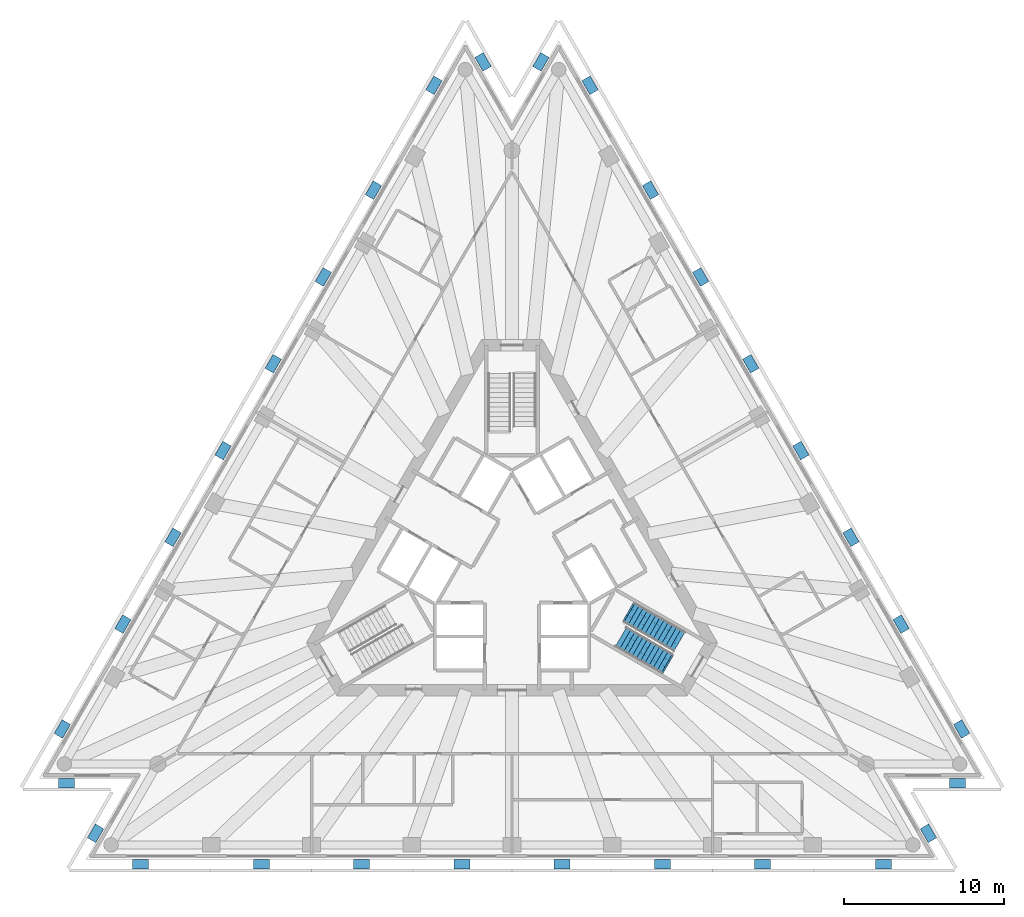
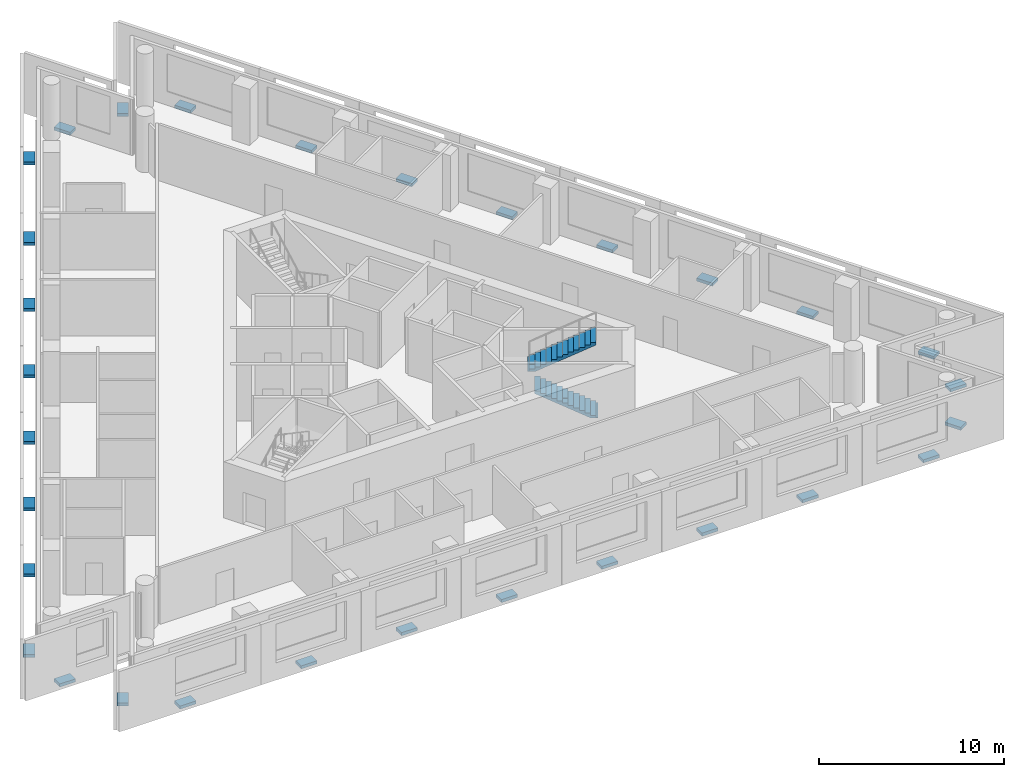
# One storey, part 8 of 10: 30 discrete accessories, 2 stair flights, 1 element without a shape of its own.
"""IFC4 building model written with IfcOpenShell, lengths in metres."""

from ifc_helpers import new_model, si_unit, direction, frame, origin, origin_2d, place, context, subcontext, project, spatial, polyline, rectangle, outline, extrude, material, type_object, element, aggregate, save


model = new_model("IFC4")

# Units and contexts
model_context = context("Model", 3, precision=1e-05, world=origin(), true_north=direction((0.0, 1.0)))
body_context = subcontext(model_context, "Body", "Model", "MODEL_VIEW")
ifc_project = project(units=[si_unit("LENGTHUNIT", "METRE"), si_unit("AREAUNIT", "SQUARE_METRE"), si_unit("VOLUMEUNIT", "CUBIC_METRE"), si_unit("PLANEANGLEUNIT", "RADIAN"), si_unit("MASSUNIT", "GRAM", prefix="KILO")], contexts=[model_context])

# Site, building, storey
site_placement = place(None, origin())
site = spatial("IfcSite", under=ifc_project, at=site_placement, CompositionType="ELEMENT")
building_placement = place(site_placement, origin())
building = spatial("IfcBuilding", under=site, at=building_placement, Name="Triada Interchange Tower", CompositionType="ELEMENT")
storey_placement = place(building_placement, frame((0.0, 0.0, 191.300048828125)))
storey = spatial("IfcBuildingStorey", under=building, at=storey_placement, Name="L44", CompositionType="ELEMENT", Elevation=191.300048828125)

# Stair, stair flights
ifc_material_1 = material(Name="Concrete C35/45", Category="concrete")
stair_type = type_object("IfcStairType", Name="HALF TURN STAIR 1400", PredefinedType="HALF_TURN_STAIR", material=ifc_material_1)
stair_placement = place(storey_placement, origin())
stair = element("IfcStair", 1, at=stair_placement, inside=storey, type_object=stair_type, Name="Exit stair S44-3", PredefinedType="HALF_TURN_STAIR")
stair_flight_type = type_object("IfcStairFlightType", Name="STRAIGHT STAIR FLIGHT 1400", PredefinedType="STRAIGHT", material=ifc_material_1)
stair_flight_1_placement = place(storey_placement, frame((9.64599609375, -6.492919921875, 0.0), z_axis=(0.0, 0.0, 1.0), x_axis=(-0.866025403784, 0.5, 0.0)))
stair_flight_1 = element("IfcStairFlight", 2, at=stair_flight_1_placement, type_object=stair_flight_type, Name="S44-3 flight 1", NumberOfRisers=12, NumberOfTreads=11, PredefinedType="STRAIGHT", RiserHeight=0.16, TreadLength=0.3, context=body_context, shape_type="SweptSolid", body=[
    extrude(outline(polyline([(-0.10009765625, 0.0), (-0.10009765625, 0.02001953125), (0.0, 0.02001953125), (0.0, 0.159912109375), (0.300048828125, 0.159912109375), (0.300048828125, 0.320068359375), (0.60009765625, 0.320068359375), (0.60009765625, 0.47998046875), (0.89990234375, 0.47998046875), (0.89990234375, 0.639892578125), (1.199951171875, 0.639892578125), (1.199951171875, 0.800048828125), (1.5, 0.800048828125), (1.5, 0.9599609375), (1.800048828125, 0.9599609375), (1.800048828125, 1.1201171875), (2.10009765625, 1.1201171875), (2.10009765625, 1.280029296875), (2.39990234375, 1.280029296875), (2.39990234375, 1.43994140625), (2.699951171875, 1.43994140625), (2.699951171875, 1.60009765625), (3.0, 1.60009765625), (3.0, 1.760009765625), (3.300048828125, 1.760009765625), (3.303955078125, 1.760009765625), (3.303955078125, 1.919921875), (3.303955078125, 1.590087890625), (0.318603515625, 0.0), (-0.10009765625, 0.0)])), frame((0.0, 0.699951171875, 0.0), z_axis=(0.0, -1.0, 0.0), x_axis=(1.0, 0.0, 0.0)), (0.0, 0.0, 1.0), 0.46533203125),
    extrude(outline(polyline([(-0.10009765625, 0.0), (-0.10009765625, 0.02001953125), (0.0, 0.02001953125), (0.0, 0.159912109375), (0.300048828125, 0.159912109375), (0.300048828125, 0.320068359375), (0.60009765625, 0.320068359375), (0.60009765625, 0.47998046875), (0.89990234375, 0.47998046875), (0.89990234375, 0.639892578125), (1.199951171875, 0.639892578125), (1.199951171875, 0.800048828125), (1.5, 0.800048828125), (1.5, 0.9599609375), (1.800048828125, 0.9599609375), (1.800048828125, 1.1201171875), (2.10009765625, 1.1201171875), (2.10009765625, 1.280029296875), (2.39990234375, 1.280029296875), (2.39990234375, 1.43994140625), (2.699951171875, 1.43994140625), (2.699951171875, 1.60009765625), (3.0, 1.60009765625), (3.0, 1.760009765625), (3.300048828125, 1.760009765625), (3.303955078125, 1.760009765625), (3.303955078125, 1.919921875), (3.303955078125, 1.590087890625), (0.318603515625, 0.0), (-0.10009765625, 0.0)])), frame((0.0, 0.232666015625, 0.0), z_axis=(0.0, -1.0, 0.0), x_axis=(1.0, 0.0, 0.0)), (0.0, 0.0, 1.0), 0.46533203125),
    extrude(outline(polyline([(-0.10009765625, 0.0), (-0.10009765625, 0.02001953125), (0.0, 0.02001953125), (0.0, 0.159912109375), (0.300048828125, 0.159912109375), (0.300048828125, 0.320068359375), (0.60009765625, 0.320068359375), (0.60009765625, 0.47998046875), (0.89990234375, 0.47998046875), (0.89990234375, 0.639892578125), (1.199951171875, 0.639892578125), (1.199951171875, 0.800048828125), (1.5, 0.800048828125), (1.5, 0.9599609375), (1.800048828125, 0.9599609375), (1.800048828125, 1.1201171875), (2.10009765625, 1.1201171875), (2.10009765625, 1.280029296875), (2.39990234375, 1.280029296875), (2.39990234375, 1.43994140625), (2.699951171875, 1.43994140625), (2.699951171875, 1.60009765625), (3.0, 1.60009765625), (3.0, 1.760009765625), (3.300048828125, 1.760009765625), (3.303955078125, 1.760009765625), (3.303955078125, 1.919921875), (3.303955078125, 1.590087890625), (0.318603515625, 0.0), (-0.10009765625, 0.0)])), frame((0.0, -0.234619140625, 0.0), z_axis=(0.0, -1.0, 0.0), x_axis=(1.0, 0.0, 0.0)), (0.0, 0.0, 1.0), 0.46533203125),
])
stair_flight_2_placement = place(storey_placement, frame((7.327880859375, -3.306884765625, 1.919921875), z_axis=(0.0, 0.0, 1.0), x_axis=(0.866025403784, -0.5, 0.0)))
stair_flight_2 = element("IfcStairFlight", 3, at=stair_flight_2_placement, type_object=stair_flight_type, Name="S44-3 flight 2", NumberOfRisers=13, NumberOfTreads=12, PredefinedType="STRAIGHT", RiserHeight=0.16, TreadLength=0.3, context=body_context, shape_type="SweptSolid", body=[
    extrude(outline(polyline([(-0.10009765625, 0.0), (-0.10009765625, 0.02001953125), (0.0, 0.02001953125), (0.0, 0.159912109375), (0.300048828125, 0.159912109375), (0.300048828125, 0.320068359375), (0.60009765625, 0.320068359375), (0.60009765625, 0.47998046875), (0.89990234375, 0.47998046875), (0.89990234375, 0.639892578125), (1.199951171875, 0.639892578125), (1.199951171875, 0.800048828125), (1.5, 0.800048828125), (1.5, 0.9599609375), (1.800048828125, 0.9599609375), (1.800048828125, 1.1201171875), (2.10009765625, 1.1201171875), (2.10009765625, 1.280029296875), (2.39990234375, 1.280029296875), (2.39990234375, 1.43994140625), (2.699951171875, 1.43994140625), (2.699951171875, 1.60009765625), (3.0, 1.60009765625), (3.0, 1.760009765625), (3.300048828125, 1.760009765625), (3.300048828125, 1.919921875), (3.60009765625, 1.919921875), (3.60400390625, 1.919921875), (3.60400390625, 2.080078125), (3.60400390625, 1.75), (0.318603515625, 0.0), (-0.10009765625, 0.0)])), frame((0.0, 0.699951171875, 0.0), z_axis=(0.0, -1.0, 0.0), x_axis=(1.0, 0.0, 0.0)), (0.0, 0.0, 1.0), 0.46533203125),
    extrude(outline(polyline([(-0.10009765625, 0.0), (-0.10009765625, 0.02001953125), (0.0, 0.02001953125), (0.0, 0.159912109375), (0.300048828125, 0.159912109375), (0.300048828125, 0.320068359375), (0.60009765625, 0.320068359375), (0.60009765625, 0.47998046875), (0.89990234375, 0.47998046875), (0.89990234375, 0.639892578125), (1.199951171875, 0.639892578125), (1.199951171875, 0.800048828125), (1.5, 0.800048828125), (1.5, 0.9599609375), (1.800048828125, 0.9599609375), (1.800048828125, 1.1201171875), (2.10009765625, 1.1201171875), (2.10009765625, 1.280029296875), (2.39990234375, 1.280029296875), (2.39990234375, 1.43994140625), (2.699951171875, 1.43994140625), (2.699951171875, 1.60009765625), (3.0, 1.60009765625), (3.0, 1.760009765625), (3.300048828125, 1.760009765625), (3.300048828125, 1.919921875), (3.60009765625, 1.919921875), (3.60400390625, 1.919921875), (3.60400390625, 2.080078125), (3.60400390625, 1.75), (0.318603515625, 0.0), (-0.10009765625, 0.0)])), frame((0.0, 0.232666015625, 0.0), z_axis=(0.0, -1.0, 0.0), x_axis=(1.0, 0.0, 0.0)), (0.0, 0.0, 1.0), 0.46533203125),
    extrude(outline(polyline([(-0.10009765625, 0.0), (-0.10009765625, 0.02001953125), (0.0, 0.02001953125), (0.0, 0.159912109375), (0.300048828125, 0.159912109375), (0.300048828125, 0.320068359375), (0.60009765625, 0.320068359375), (0.60009765625, 0.47998046875), (0.89990234375, 0.47998046875), (0.89990234375, 0.639892578125), (1.199951171875, 0.639892578125), (1.199951171875, 0.800048828125), (1.5, 0.800048828125), (1.5, 0.9599609375), (1.800048828125, 0.9599609375), (1.800048828125, 1.1201171875), (2.10009765625, 1.1201171875), (2.10009765625, 1.280029296875), (2.39990234375, 1.280029296875), (2.39990234375, 1.43994140625), (2.699951171875, 1.43994140625), (2.699951171875, 1.60009765625), (3.0, 1.60009765625), (3.0, 1.760009765625), (3.300048828125, 1.760009765625), (3.300048828125, 1.919921875), (3.60009765625, 1.919921875), (3.60400390625, 1.919921875), (3.60400390625, 2.080078125), (3.60400390625, 1.75), (0.318603515625, 0.0), (-0.10009765625, 0.0)])), frame((0.0, -0.234619140625, 0.0), z_axis=(0.0, -1.0, 0.0), x_axis=(1.0, 0.0, 0.0)), (0.0, 0.0, 1.0), 0.46533203125),
])
aggregate(stair, [stair_flight_1, stair_flight_2])

# Discrete accessories
ifc_material_2 = material(Name="Steel S355", Category="steel")
discrete_accessory_type = type_object("IfcDiscreteAccessoryType", Name="Steel bracket outer skin", PredefinedType="BRACKET", material=ifc_material_2)
for number, where, z_axis, x_axis, name in (
    (4, (-4.865966796875, 29.56103515625, -0.27001953125), (0.0, 0.0, 1.0), (-0.866023457736, 0.50000337064, 0.0), "Bracket L44 01"),
    (5, (-8.638916015625, 23.02490234375, -0.27001953125), (0.0, 0.0, 1.0), (-0.866023457736, 0.50000337064, 0.0), "Bracket L44 02"),
    (6, (-11.763916015625, 17.614013671875, -0.27001953125), (0.0, 0.0, 1.0), (-0.866023457736, 0.50000337064, 0.0), "Bracket L44 03"),
    (7, (-14.887939453125, 12.202880859375, -0.27001953125), (0.0, 0.0, 1.0), (-0.866023457736, 0.50000337064, 0.0), "Bracket L44 04"),
    (8, (-18.011962890625, 6.7919921875, -0.27001953125), (0.0, 0.0, 1.0), (-0.866023457736, 0.50000337064, 0.0), "Bracket L44 05"),
    (9, (-21.135986328125, 1.381103515625, -0.27001953125), (0.0, 0.0, 1.0), (-0.866023457736, 0.50000337064, 0.0), "Bracket L44 06"),
    (10, (-24.260009765625, -4.030029296875, -0.27001953125), (0.0, 0.0, 1.0), (-0.866023457736, 0.50000337064, 0.0), "Bracket L44 07"),
    (11, (-28.033935546875, -10.56591796875, -0.27001953125), (0.0, 0.0, 1.0), (-0.866023457736, 0.50000337064, 0.0), "Bracket L44 08"),
    (12, (-27.763916015625, -13.947021484375, -0.27001953125), (0.0, 0.0, 1.0), (0.0, -1.0, 0.0), "Bracket L44 09"),
    (13, (-25.9609375, -17.071044921875, -0.27001953125), (0.0, 0.0, 1.0), (-0.866059880705, 0.499940279467, 0.0), "Bracket L44 10"),
    (14, (-23.16796875, -18.9951171875, -0.27001953125), (0.0, 0.0, 1.0), (0.0, -1.0, 0.0), "Bracket L44 11"),
    (15, (-15.62109375, -18.9951171875, -0.27001953125), (0.0, 0.0, 1.0), (0.0, -1.0, 0.0), "Bracket L44 12"),
    (16, (-9.3720703125, -18.9951171875, -0.27001953125), (0.0, 0.0, 1.0), (0.0, -1.0, 0.0), "Bracket L44 13"),
    (17, (-3.1240234375, -18.9951171875, -0.27001953125), (0.0, 0.0, 1.0), (0.0, -1.0, 0.0), "Bracket L44 14"),
    (18, (3.1240234375, -18.9951171875, -0.27001953125), (0.0, 0.0, 1.0), (0.0, -1.0, 0.0), "Bracket L44 15"),
    (19, (9.3720703125, -18.9951171875, -0.27001953125), (0.0, 0.0, 1.0), (0.0, -1.0, 0.0), "Bracket L44 16"),
    (20, (15.62109375, -18.9951171875, -0.27001953125), (0.0, 0.0, 1.0), (0.0, -1.0, 0.0), "Bracket L44 17"),
    (21, (23.16796875, -18.9951171875, -0.27001953125), (0.0, 0.0, 1.0), (0.0, -1.0, 0.0), "Bracket L44 18"),
    (22, (25.9609375, -17.071044921875, -0.27001953125), (0.0, 0.0, 1.0), (0.866059880705, 0.499940279467, 0.0), "Bracket L44 19"),
    (23, (27.763916015625, -13.947021484375, -0.27001953125), (0.0, 0.0, 1.0), (0.0, -1.0, 0.0), "Bracket L44 20"),
    (24, (28.033935546875, -10.56591796875, -0.27001953125), (0.0, 0.0, 1.0), (0.866023457736, 0.50000337064, 0.0), "Bracket L44 21"),
    (25, (24.260009765625, -4.030029296875, -0.27001953125), (0.0, 0.0, 1.0), (0.866023457736, 0.50000337064, 0.0), "Bracket L44 22"),
    (26, (21.135986328125, 1.381103515625, -0.27001953125), (0.0, 0.0, 1.0), (0.866023457736, 0.50000337064, 0.0), "Bracket L44 23"),
    (27, (18.011962890625, 6.7919921875, -0.27001953125), (0.0, 0.0, 1.0), (0.866023457736, 0.50000337064, 0.0), "Bracket L44 24"),
    (28, (14.887939453125, 12.202880859375, -0.27001953125), (0.0, 0.0, 1.0), (0.866023457736, 0.50000337064, 0.0), "Bracket L44 25"),
    (29, (11.763916015625, 17.614013671875, -0.27001953125), (0.0, 0.0, 1.0), (0.866023457736, 0.50000337064, 0.0), "Bracket L44 26"),
    (30, (8.638916015625, 23.02490234375, -0.27001953125), (0.0, 0.0, 1.0), (0.866023457736, 0.50000337064, 0.0), "Bracket L44 27"),
    (31, (4.865966796875, 29.56103515625, -0.27001953125), (0.0, 0.0, 1.0), (0.866023457736, 0.50000337064, 0.0), "Bracket L44 28"),
    (32, (1.802978515625, 31.01806640625, -0.27001953125), (0.0, 0.0, 1.0), (-0.866016991175, 0.500014570784, 0.0), "Bracket L44 29"),
    (33, (-1.802978515625, 31.01806640625, -0.27001953125), (0.0, 0.0, 1.0), (0.866016991175, 0.500014570784, 0.0), "Bracket L44 30"),
):
    element("IfcDiscreteAccessory", number, at=place(storey_placement, frame(where, z_axis=z_axis, x_axis=x_axis)), inside=storey, type_object=discrete_accessory_type, Name=name, PredefinedType="BRACKET", context=body_context, shape_type="SweptSolid", body=[
        extrude(rectangle(XDim=0.60009765625, YDim=1.0, at=origin_2d()), origin(), (0.0, 0.0, 1.0), 0.199951171875),
    ])

save(model, "model.ifc")
